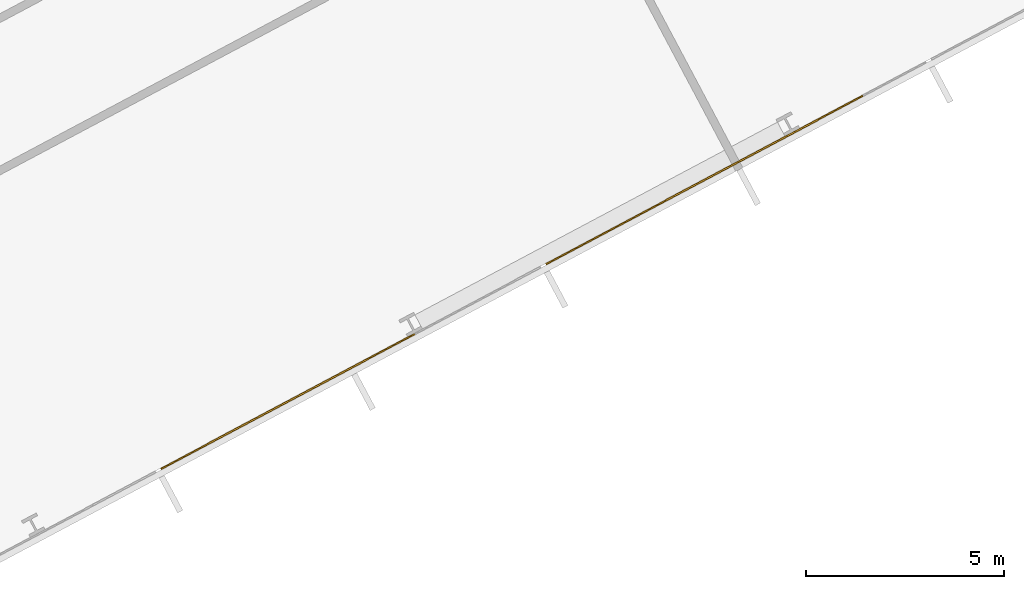
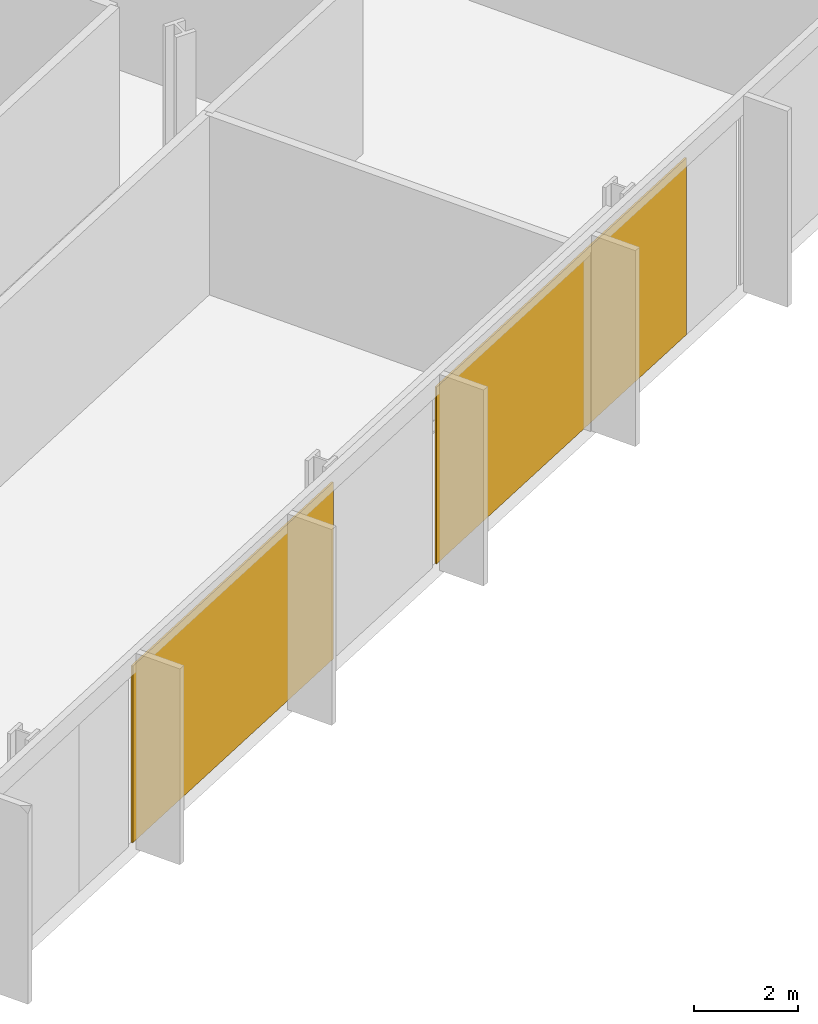
# One storey, part 27 of 30: 2 coverings, 1 element without a shape of its own.
"""IFC4 building model written with IfcOpenShell, lengths in metres."""

from ifc_helpers import new_model, si_unit, direction, frame, origin, origin_2d, place, context, subcontext, project, spatial, rectangle, extrude, material, layer, layer_set, type_object, element, aggregate, save


model = new_model("IFC4")

# Units and contexts
model_context = context("Model", 3, precision=1e-05, world=origin(), true_north=direction((0.0, 1.0)))
body_context = subcontext(model_context, "Body", "Model", "MODEL_VIEW")
ifc_project = project(units=[si_unit("LENGTHUNIT", "METRE"), si_unit("AREAUNIT", "SQUARE_METRE"), si_unit("VOLUMEUNIT", "CUBIC_METRE"), si_unit("PLANEANGLEUNIT", "RADIAN"), si_unit("MASSUNIT", "GRAM", prefix="KILO")], contexts=[model_context])

# Site, building, storey
site_placement = place(None, origin())
site = spatial("IfcSite", under=ifc_project, at=site_placement, CompositionType="ELEMENT")
building_placement = place(site_placement, origin())
building = spatial("IfcBuilding", under=site, at=building_placement, Name="Cormorant Relay Tower", CompositionType="ELEMENT")
storey_placement = place(building_placement, frame((0.0, 0.0, 89.199951171875)))
storey = spatial("IfcBuildingStorey", under=building, at=storey_placement, Name="L17", CompositionType="ELEMENT", Elevation=89.199951171875)

# Curtain wall, coverings
ifc_material_1 = material(Name="Aluminium 6063-T6 anodised bronze", Category="aluminium")
ifc_layer_1 = layer(ifc_material_1, 0.199951171875)
ifc_layer_set_1 = layer_set([ifc_layer_1], Name="CW1 unitised bronze curtain wall with vertical fins")
curtain_wall_type = type_object("IfcCurtainWallType", Name="CW1 unitised bronze curtain wall with vertical fins", PredefinedType="NOTDEFINED", material=ifc_layer_set_1)
curtain_wall_placement = place(storey_placement, origin())
curtain_wall = element("IfcCurtainWall", 1, at=curtain_wall_placement, inside=storey, type_object=curtain_wall_type, Name="CW1 curtain wall 2", PredefinedType="NOTDEFINED")
ifc_material_2 = material(Name="Pale bronze anodised aluminium insulated panel", Category="aluminium")
ifc_layer_2 = layer(ifc_material_2, 0.0400390625)
ifc_layer_set_2 = layer_set([ifc_layer_2], Name="CW1 pale bronze insulated panel 40")
covering_type = type_object("IfcCoveringType", Name="CW1 pale bronze insulated panel 40", PredefinedType="CLADDING", material=ifc_layer_set_2)
covering_1_placement = place(storey_placement, frame((49.735595703125, 2.63818359375, 0.0), z_axis=(0.0, 0.0, 1.0), x_axis=(0.882947592859, 0.469471562786, 0.0)))
covering_1 = element("IfcCovering", 2, at=covering_1_placement, type_object=covering_type, Name="CW1 panel S09", PredefinedType="CLADDING", context=body_context, shape_type="SweptSolid", body=[
    extrude(rectangle(XDim=7.273681640625, YDim=0.0400390625, at=origin_2d()), origin(), (0.0, 0.0, 1.0), 4.14990234375),
])
covering_2_placement = place(storey_placement, frame((60.263671875, 8.236083984375, 0.0), z_axis=(0.0, 0.0, 1.0), x_axis=(0.882947592859, 0.469471562786, 0.0)))
covering_2 = element("IfcCovering", 3, at=covering_2_placement, type_object=covering_type, Name="CW1 panel S11", PredefinedType="CLADDING", context=body_context, shape_type="SweptSolid", body=[
    extrude(rectangle(XDim=9.07373046875, YDim=0.0400390625, at=origin_2d()), origin(), (0.0, 0.0, 1.0), 4.14990234375),
])
aggregate(curtain_wall, [covering_1, covering_2])

save(model, "model.ifc")
